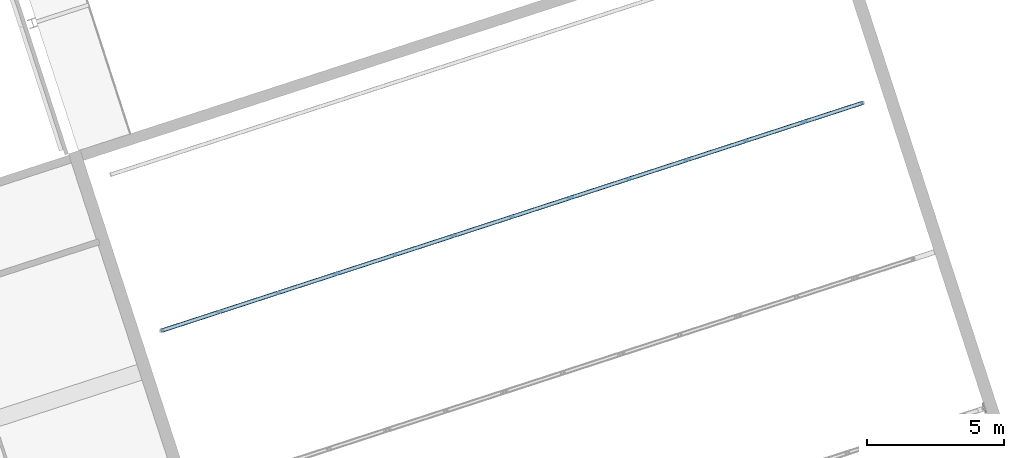
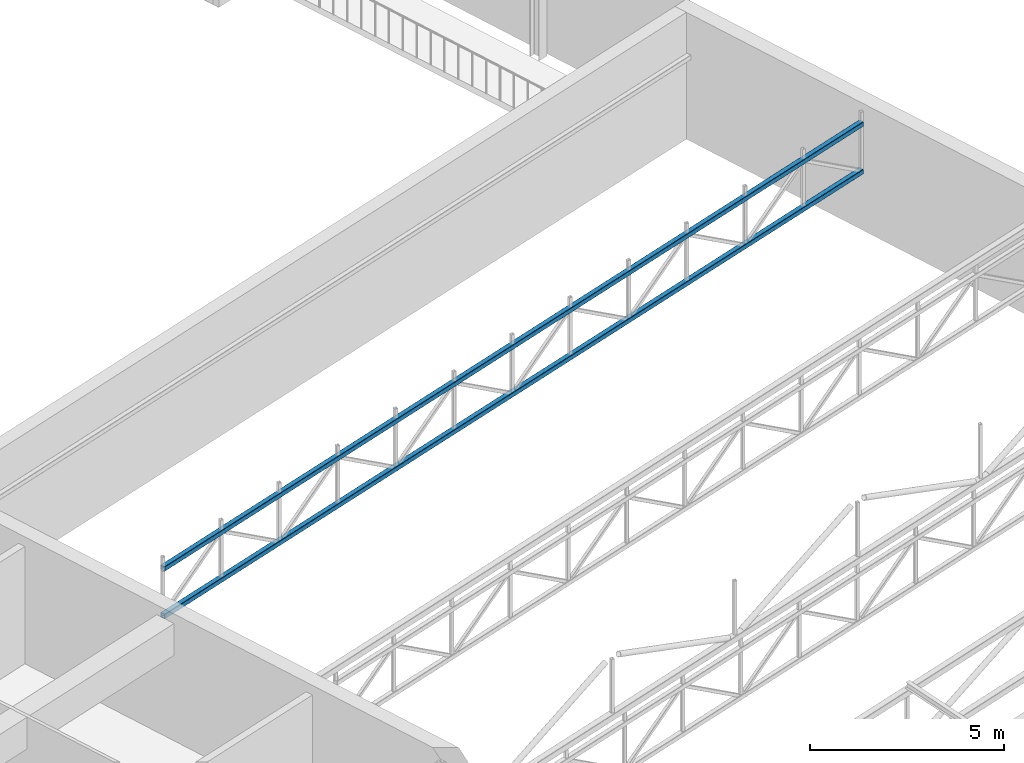
# One storey, part 22 of 81: 2 members.
"""IFC4 building model written with IfcOpenShell, lengths in metres."""

from ifc_helpers import new_model, si_unit, direction, frame, origin, origin_2d, place, context, subcontext, project, spatial, hollow_rectangle, extrude, material, material_profile, profile_set, type_object, element, save


model = new_model("IFC4")

# Units and contexts
model_context = context("Model", 3, precision=1e-05, world=origin(), true_north=direction((0.0, 1.0)))
body_context = subcontext(model_context, "Body", "Model", "MODEL_VIEW")
ifc_project = project(units=[si_unit("LENGTHUNIT", "METRE"), si_unit("AREAUNIT", "SQUARE_METRE"), si_unit("VOLUMEUNIT", "CUBIC_METRE"), si_unit("PLANEANGLEUNIT", "RADIAN"), si_unit("MASSUNIT", "GRAM", prefix="KILO")], contexts=[model_context])

# Site, building, storey
site_placement = place(None, origin())
site = spatial("IfcSite", under=ifc_project, at=site_placement, CompositionType="ELEMENT")
building_placement = place(site_placement, origin())
building = spatial("IfcBuilding", under=site, at=building_placement, Name="Tuart Plaza Theatre", CompositionType="ELEMENT")
storey_placement = place(building_placement, frame((0.0, 0.0, 17.5)))
storey = spatial("IfcBuildingStorey", under=building, at=storey_placement, Name="L04", CompositionType="ELEMENT", Elevation=17.5)

# Members
ifc_material = material(Name="Steel Grade C350L0", Category="steel")
ifc_material_profile = material_profile(ifc_material, hollow_rectangle(XDim=0.14990234375, YDim=0.14990234375, WallThickness=0.009033203125, InnerFilletRadius=0.009033203125, OuterFilletRadius=0.01806640625, at=origin_2d()), Name="150x150x9 SHS")
ifc_profile_set = profile_set([ifc_material_profile], Name="Steel Grade C350L0")
member_type = type_object("IfcMemberType", Name="MEMBER Chord 150x150x9 SHS", PredefinedType="CHORD", material=ifc_profile_set)
for number, where, z_axis, x_axis, name in (
    (1, (44.461669921875, 62.28125, 2.60888671875), (0.951057078917, 0.309015262799, 0.0), (-0.309015262799, 0.951057078917, 0.0), "CH32"),
    (2, (44.461669921875, 62.28125, 4.10888671875), (0.951057078917, 0.309015262799, 0.0), (-0.309015262799, 0.951057078917, 0.0), "CH33"),
):
    element("IfcMember", number, at=place(storey_placement, frame(where, z_axis=z_axis, x_axis=x_axis)), inside=storey, type_object=member_type, Name=name, PredefinedType="CHORD", context=body_context, shape_type="SweptSolid", body=[
        extrude(hollow_rectangle(XDim=0.14990234375, YDim=0.14990234375, WallThickness=0.009033203125, InnerFilletRadius=0.009033203125, OuterFilletRadius=0.01806640625, at=origin_2d()), origin(), (0.0, 0.0, 1.0), 26.97509765625),
    ])

save(model, "model.ifc")
